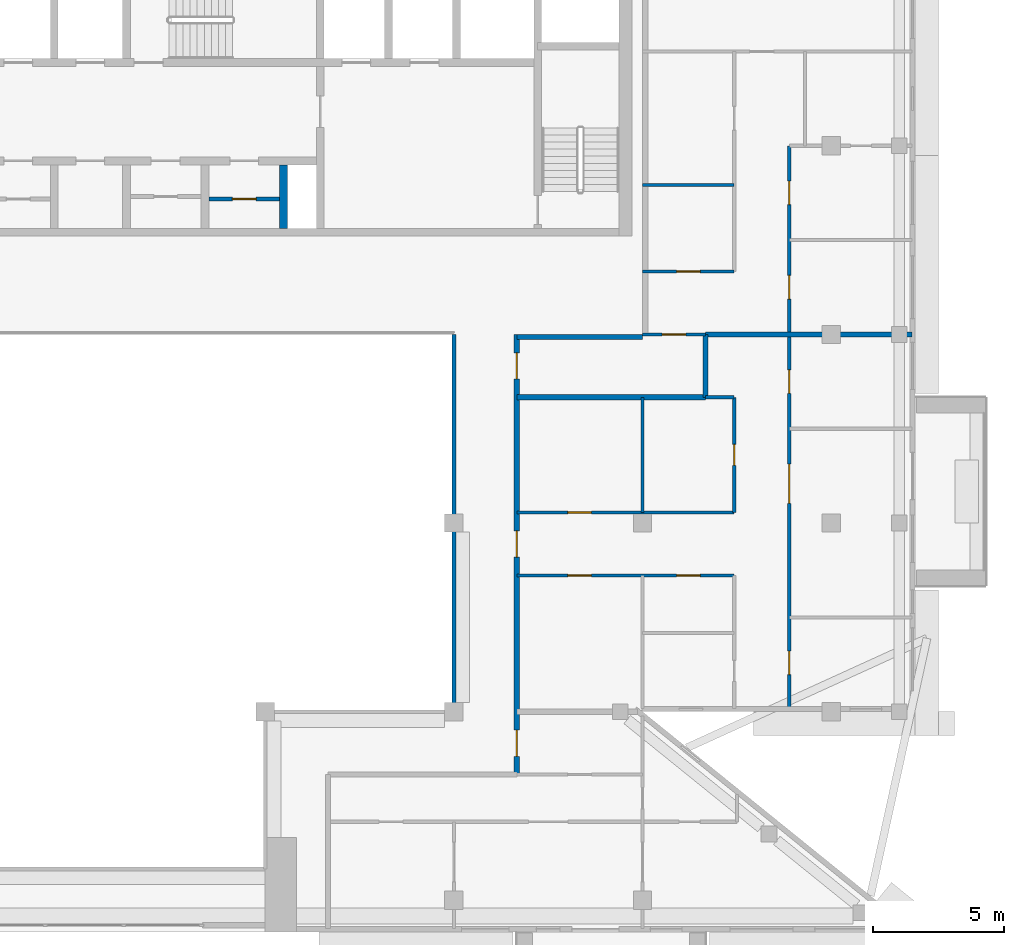
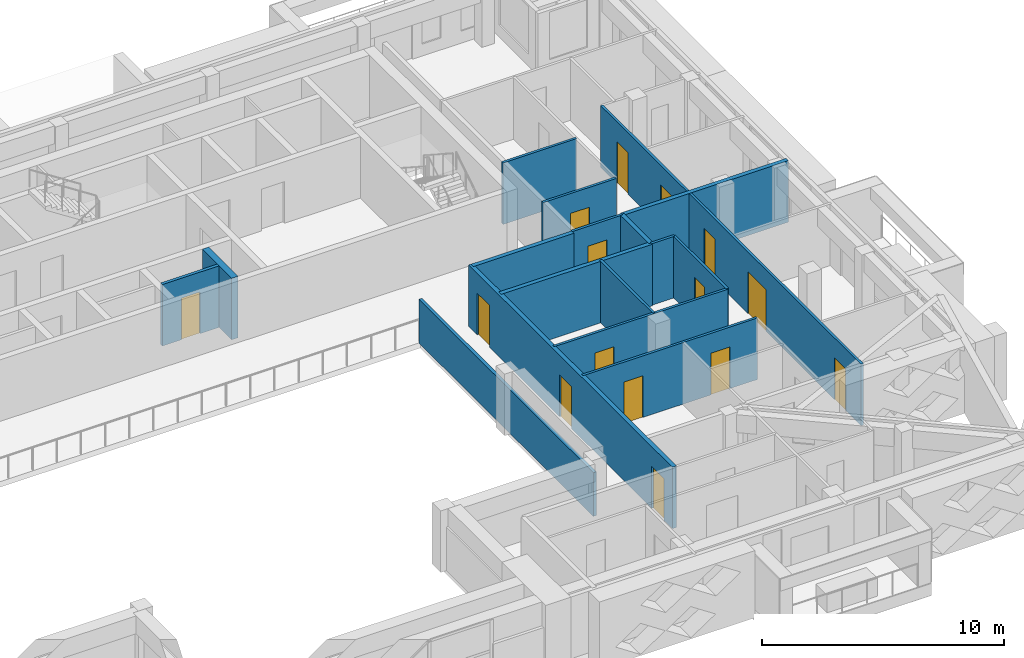
# One storey, part 9 of 19: 17 walls, 15 doors, 15 openings.
"""IFC4 building model written with IfcOpenShell, lengths in metres."""

from ifc_helpers import new_model, si_unit, direction, frame, frame_2d, origin, place, context, subcontext, project, spatial, rectangle, extrude, material, layer, layer_set, type_object, element, fill, save


model = new_model("IFC4")

# Units and contexts
model_context = context("Model", 3, precision=1e-05, world=origin(), true_north=direction((0.0, 1.0)))
body_context = subcontext(model_context, "Body", "Model", "MODEL_VIEW")
ifc_project = project(units=[si_unit("LENGTHUNIT", "METRE"), si_unit("AREAUNIT", "SQUARE_METRE"), si_unit("VOLUMEUNIT", "CUBIC_METRE"), si_unit("PLANEANGLEUNIT", "RADIAN"), si_unit("MASSUNIT", "GRAM", prefix="KILO")], contexts=[model_context])

# Site, building, storey
site_placement = place(None, origin())
site = spatial("IfcSite", under=ifc_project, at=site_placement, CompositionType="ELEMENT")
building_placement = place(site_placement, origin())
building = spatial("IfcBuilding", under=site, at=building_placement, Name="Saffron Iwan Residences", CompositionType="ELEMENT")
storey_placement = place(building_placement, frame((0.0, 0.0, 267.5)))
storey = spatial("IfcBuildingStorey", under=building, at=storey_placement, Name="L72", CompositionType="ELEMENT", Elevation=267.5)

# Wall
ifc_material_1 = material(Name="Fire-rated glazing", Category="glass")
ifc_layer_1 = layer(ifc_material_1, 0.14990234375)
ifc_layer_set_1 = layer_set([ifc_layer_1], Name="Fire-rated glazing")
wall_type_1 = type_object("IfcWallType", Name="Atrium glazed screen 150", PredefinedType="SOLIDWALL", material=ifc_layer_set_1)
wall_1_placement = place(storey_placement, frame((64.800048828125, 48.0, 0.0), z_axis=(0.0, 0.0, 1.0), x_axis=(0.0, 1.0, 0.0)))
element("IfcWall", 1, at=wall_1_placement, inside=storey, type_object=wall_type_1, Name="W-L72-SCREEN-v64.8-48", PredefinedType="SOLIDWALL", context=body_context, shape_type="SweptSolid", body=[
    extrude(rectangle(XDim=14.39990234375, YDim=0.14990234375, at=frame_2d((7.199951171875, 0.0))), origin(), (0.0, 0.0, 1.0), 2.198974609375),
])

# Wall, opening, door
ifc_material_2 = material(Name="Fire-rated plasterboard partition")
ifc_layer_2 = layer(ifc_material_2, 0.14990234375)
ifc_layer_set_2 = layer_set([ifc_layer_2], Name="Fire-rated plasterboard partition")
wall_type_2 = type_object("IfcWallType", Name="Core partition 150", PredefinedType="PARTITIONING", material=ifc_layer_set_2)
wall_2_placement = place(storey_placement, frame((55.449951171875, 67.5654296875, 0.0), z_axis=(0.0, 0.0, 1.0), x_axis=(1.0, 0.0, 0.0)))
wall_2 = element("IfcWall", 2, at=wall_2_placement, inside=storey, type_object=wall_type_2, Name="Core partition P06", PredefinedType="PARTITIONING", context=body_context, shape_type="SweptSolid", body=[
    extrude(rectangle(XDim=2.699951171875, YDim=0.14990234375, at=frame_2d((1.35009765625, 0.0))), origin(), (0.0, 0.0, 1.0), 3.09912109375),
])
opening_1_placement = place(wall_2_placement, frame((0.89990234375, 0.0, 0.0)))
opening_1 = element("IfcOpeningElement", 3, at=opening_1_placement, cuts=wall_2, Name="Opening SB", PredefinedType="OPENING", context=body_context, shape_type="SweptSolid", body=[
    extrude(rectangle(XDim=0.89990234375, YDim=2.10009765625, at=frame_2d((0.449951171875, 1.050048828125))), frame((0.0, 0.0849609375, 0.0), z_axis=(0.0, -1.0, 0.0), x_axis=(1.0, 0.0, 0.0)), (0.0, 0.0, 1.0), 0.169921875),
])
ifc_material_3 = material(Name="Steel fire door", Category="steel")
door_type_1 = type_object("IfcDoorType", Name="Store door 900", OperationType="NOTDEFINED", PredefinedType="DOOR", material=ifc_material_3)
door_1_placement = place(opening_1_placement, origin())
door_1 = element("IfcDoor", 4, at=door_1_placement, inside=storey, type_object=door_type_1, Name="Door Spares store", OperationType="SINGLE_SWING_RIGHT", OverallHeight=2.10009765625, OverallWidth=0.89990234375, PredefinedType="DOOR", context=body_context, shape_type="SweptSolid", body=[
    extrude(rectangle(XDim=0.89990234375, YDim=2.10009765625, at=frame_2d((0.449951171875, 1.050048828125))), frame((0.0, 0.02490234375, 0.0), z_axis=(0.0, -1.0, 0.0), x_axis=(1.0, 0.0, 0.0)), (0.0, 0.0, 1.0), 0.050048828125),
])
fill(opening_1, door_1)

# Walls
ifc_material_4 = material(Name="Fire-rated gypsum board wall")
ifc_layer_3 = layer(ifc_material_4, 0.199951171875)
ifc_layer_set_3 = layer_set([ifc_layer_3], Name="Fire-rated gypsum board wall")
wall_type_3 = type_object("IfcWallType", Name="Flat demising wall 200", PredefinedType="SOLIDWALL", material=ifc_layer_set_3)
wall_3_placement = place(storey_placement, frame((67.199951171875, 60.0, 0.0), z_axis=(0.0, 0.0, 1.0), x_axis=(1.0, 0.0, 0.0)))
element("IfcWall", 5, at=wall_3_placement, inside=storey, type_object=wall_type_3, Name="W-L72-DEMISE-h60-67.2", PredefinedType="SOLIDWALL", context=body_context, shape_type="SweptSolid", body=[
    extrude(rectangle(XDim=7.199951171875, YDim=0.199951171875, at=frame_2d((3.60009765625, 0.0))), origin(), (0.0, 0.0, 1.0), 3.09912109375),
])
wall_4_placement = place(storey_placement, frame((74.39990234375, 62.39990234375, 0.0), z_axis=(0.0, 0.0, 1.0), x_axis=(1.0, 0.0, 0.0)))
element("IfcWall", 6, at=wall_4_placement, inside=storey, type_object=wall_type_3, Name="W-L72-DEMISE-h62.4-74.4", PredefinedType="SOLIDWALL", context=body_context, shape_type="SweptSolid", body=[
    extrude(rectangle(XDim=7.875, YDim=0.199951171875, at=frame_2d((3.9375, 0.0))), origin(), (0.0, 0.0, 1.0), 3.09912109375),
])
wall_5_placement = place(storey_placement, frame((74.39990234375, 60.0, 0.0), z_axis=(0.0, 0.0, 1.0), x_axis=(0.0, 1.0, 0.0)))
element("IfcWall", 7, at=wall_5_placement, inside=storey, type_object=wall_type_3, Name="W-L72-DEMISE-v74.4-60", PredefinedType="SOLIDWALL", context=body_context, shape_type="SweptSolid", body=[
    extrude(rectangle(XDim=2.39990234375, YDim=0.199951171875, at=frame_2d((1.199951171875, 0.0))), origin(), (0.0, 0.0, 1.0), 3.09912109375),
])

# Wall, openings, doors
ifc_material_5 = material(Name="Gypsum board partition")
ifc_layer_4 = layer(ifc_material_5, 0.1201171875)
ifc_layer_set_4 = layer_set([ifc_layer_4], Name="Gypsum board partition")
wall_type_4 = type_object("IfcWallType", Name="Flat partition 120", PredefinedType="PARTITIONING", material=ifc_layer_set_4)
wall_6_placement = place(storey_placement, frame((67.199951171875, 53.199951171875, 0.0), z_axis=(0.0, 0.0, 1.0), x_axis=(1.0, 0.0, 0.0)))
wall_6 = element("IfcWall", 8, at=wall_6_placement, inside=storey, type_object=wall_type_4, Name="W-L72-PART-h53.2-67.2", PredefinedType="PARTITIONING", context=body_context, shape_type="SweptSolid", body=[
    extrude(rectangle(XDim=8.300048828125, YDim=0.1201171875, at=frame_2d((4.14990234375, 0.0))), origin(), (0.0, 0.0, 1.0), 3.09912109375),
])
opening_2_placement = place(wall_6_placement, frame((6.10009765625, 0.0, 0.0)))
opening_2 = element("IfcOpeningElement", 9, at=opening_2_placement, cuts=wall_6, Name="Opening FD2", PredefinedType="OPENING", context=body_context, shape_type="SweptSolid", body=[
    extrude(rectangle(XDim=0.89990234375, YDim=2.10009765625, at=frame_2d((0.449951171875, 1.050048828125))), frame((0.0, 0.070068359375, 0.0), z_axis=(0.0, -1.0, 0.0), x_axis=(1.0, 0.0, 0.0)), (0.0, 0.0, 1.0), 0.14013671875),
])
opening_3_placement = place(wall_6_placement, frame((1.949951171875, 0.0, 0.0)))
opening_3 = element("IfcOpeningElement", 10, at=opening_3_placement, cuts=wall_6, Name="Opening FD2", PredefinedType="OPENING", context=body_context, shape_type="SweptSolid", body=[
    extrude(rectangle(XDim=0.89990234375, YDim=2.10009765625, at=frame_2d((0.449951171875, 1.050048828125))), frame((0.0, 0.070068359375, 0.0), z_axis=(0.0, -1.0, 0.0), x_axis=(1.0, 0.0, 0.0)), (0.0, 0.0, 1.0), 0.14013671875),
])
ifc_material_6 = material(Name="Timber door", Category="wood")
door_type_2 = type_object("IfcDoorType", Name="Flat door 900", OperationType="NOTDEFINED", PredefinedType="DOOR", material=ifc_material_6)
door_2_placement = place(opening_2_placement, origin())
door_2 = element("IfcDoor", 11, at=door_2_placement, inside=storey, type_object=door_type_2, Name="Door L72-021", OperationType="SINGLE_SWING_LEFT", OverallHeight=2.10009765625, OverallWidth=0.89990234375, PredefinedType="DOOR", context=body_context, shape_type="SweptSolid", body=[
    extrude(rectangle(XDim=0.89990234375, YDim=2.10009765625, at=frame_2d((0.449951171875, 1.050048828125))), frame((0.0, 0.02490234375, 0.0), z_axis=(0.0, -1.0, 0.0), x_axis=(1.0, 0.0, 0.0)), (0.0, 0.0, 1.0), 0.050048828125),
])
fill(opening_2, door_2)
door_3_placement = place(opening_3_placement, origin())
door_3 = element("IfcDoor", 12, at=door_3_placement, inside=storey, type_object=door_type_2, Name="Door L72-023", OperationType="SINGLE_SWING_LEFT", OverallHeight=2.10009765625, OverallWidth=0.89990234375, PredefinedType="DOOR", context=body_context, shape_type="SweptSolid", body=[
    extrude(rectangle(XDim=0.89990234375, YDim=2.10009765625, at=frame_2d((0.449951171875, 1.050048828125))), frame((0.0, 0.02490234375, 0.0), z_axis=(0.0, -1.0, 0.0), x_axis=(1.0, 0.0, 0.0)), (0.0, 0.0, 1.0), 0.050048828125),
])
fill(opening_3, door_3)

# Wall, opening, door
wall_7_placement = place(storey_placement, frame((67.199951171875, 55.60009765625, 0.0), z_axis=(0.0, 0.0, 1.0), x_axis=(1.0, 0.0, 0.0)))
wall_7 = element("IfcWall", 13, at=wall_7_placement, inside=storey, type_object=wall_type_4, Name="W-L72-PART-h55.6-67.2", PredefinedType="PARTITIONING", context=body_context, shape_type="SweptSolid", body=[
    extrude(rectangle(XDim=8.300048828125, YDim=0.1201171875, at=frame_2d((4.14990234375, 0.0))), origin(), (0.0, 0.0, 1.0), 3.09912109375),
])
opening_4_placement = place(wall_7_placement, frame((1.949951171875, 0.0, 0.0)))
opening_4 = element("IfcOpeningElement", 14, at=opening_4_placement, cuts=wall_7, Name="Opening FD2", PredefinedType="OPENING", context=body_context, shape_type="SweptSolid", body=[
    extrude(rectangle(XDim=0.89990234375, YDim=2.10009765625, at=frame_2d((0.449951171875, 1.050048828125))), frame((0.0, 0.070068359375, 0.0), z_axis=(0.0, -1.0, 0.0), x_axis=(1.0, 0.0, 0.0)), (0.0, 0.0, 1.0), 0.14013671875),
])
door_4_placement = place(opening_4_placement, origin())
door_4 = element("IfcDoor", 15, at=door_4_placement, inside=storey, type_object=door_type_2, Name="Door L72-024", OperationType="SINGLE_SWING_LEFT", OverallHeight=2.10009765625, OverallWidth=0.89990234375, PredefinedType="DOOR", context=body_context, shape_type="SweptSolid", body=[
    extrude(rectangle(XDim=0.89990234375, YDim=2.10009765625, at=frame_2d((0.449951171875, 1.050048828125))), frame((0.0, 0.02490234375, 0.0), z_axis=(0.0, -1.0, 0.0), x_axis=(1.0, 0.0, 0.0)), (0.0, 0.0, 1.0), 0.050048828125),
])
fill(opening_4, door_4)

# Wall
wall_8_placement = place(storey_placement, frame((74.39990234375, 60.0, 0.0), z_axis=(0.0, 0.0, 1.0), x_axis=(1.0, 0.0, 0.0)))
element("IfcWall", 16, at=wall_8_placement, inside=storey, type_object=wall_type_4, Name="W-L72-PART-h60-74.4", PredefinedType="PARTITIONING", context=body_context, shape_type="SweptSolid", body=[
    extrude(rectangle(XDim=1.10009765625, YDim=0.1201171875, at=frame_2d((0.550048828125, 0.0))), origin(), (0.0, 0.0, 1.0), 3.09912109375),
])

# Wall, opening, door
wall_9_placement = place(storey_placement, frame((72.0, 62.39990234375, 0.0), z_axis=(0.0, 0.0, 1.0), x_axis=(1.0, 0.0, 0.0)))
wall_9 = element("IfcWall", 17, at=wall_9_placement, inside=storey, type_object=wall_type_4, Name="W-L72-PART-h62.4-72", PredefinedType="PARTITIONING", context=body_context, shape_type="SweptSolid", body=[
    extrude(rectangle(XDim=2.39990234375, YDim=0.1201171875, at=frame_2d((1.199951171875, 0.0))), origin(), (0.0, 0.0, 1.0), 3.09912109375),
])
opening_5_placement = place(wall_9_placement, frame((0.75, 0.0, 0.0)))
opening_5 = element("IfcOpeningElement", 18, at=opening_5_placement, cuts=wall_9, Name="Opening FD2", PredefinedType="OPENING", context=body_context, shape_type="SweptSolid", body=[
    extrude(rectangle(XDim=0.89990234375, YDim=2.10009765625, at=frame_2d((0.449951171875, 1.050048828125))), frame((0.0, 0.070068359375, 0.0), z_axis=(0.0, -1.0, 0.0), x_axis=(1.0, 0.0, 0.0)), (0.0, 0.0, 1.0), 0.14013671875),
])
door_5_placement = place(opening_5_placement, origin())
door_5 = element("IfcDoor", 19, at=door_5_placement, inside=storey, type_object=door_type_2, Name="Door L72-033", OperationType="SINGLE_SWING_LEFT", OverallHeight=2.10009765625, OverallWidth=0.89990234375, PredefinedType="DOOR", context=body_context, shape_type="SweptSolid", body=[
    extrude(rectangle(XDim=0.89990234375, YDim=2.10009765625, at=frame_2d((0.449951171875, 1.050048828125))), frame((0.0, 0.02490234375, 0.0), z_axis=(0.0, -1.0, 0.0), x_axis=(1.0, 0.0, 0.0)), (0.0, 0.0, 1.0), 0.050048828125),
])
fill(opening_5, door_5)

wall_10_placement = place(storey_placement, frame((72.0, 64.800048828125, 0.0), z_axis=(0.0, 0.0, 1.0), x_axis=(1.0, 0.0, 0.0)))
wall_10 = element("IfcWall", 20, at=wall_10_placement, inside=storey, type_object=wall_type_4, Name="W-L72-PART-h64.8-72", PredefinedType="PARTITIONING", context=body_context, shape_type="SweptSolid", body=[
    extrude(rectangle(XDim=3.5, YDim=0.1201171875, at=frame_2d((1.75, 0.0))), origin(), (0.0, 0.0, 1.0), 3.09912109375),
])
opening_6_placement = place(wall_10_placement, frame((1.300048828125, 0.0, 0.0)))
opening_6 = element("IfcOpeningElement", 21, at=opening_6_placement, cuts=wall_10, Name="Opening FD2", PredefinedType="OPENING", context=body_context, shape_type="SweptSolid", body=[
    extrude(rectangle(XDim=0.89990234375, YDim=2.10009765625, at=frame_2d((0.449951171875, 1.050048828125))), frame((0.0, 0.070068359375, 0.0), z_axis=(0.0, -1.0, 0.0), x_axis=(1.0, 0.0, 0.0)), (0.0, 0.0, 1.0), 0.14013671875),
])
door_6_placement = place(opening_6_placement, origin())
door_6 = element("IfcDoor", 22, at=door_6_placement, inside=storey, type_object=door_type_2, Name="Door L72-039", OperationType="SINGLE_SWING_LEFT", OverallHeight=2.10009765625, OverallWidth=0.89990234375, PredefinedType="DOOR", context=body_context, shape_type="SweptSolid", body=[
    extrude(rectangle(XDim=0.89990234375, YDim=2.10009765625, at=frame_2d((0.449951171875, 1.050048828125))), frame((0.0, 0.02490234375, 0.0), z_axis=(0.0, -1.0, 0.0), x_axis=(1.0, 0.0, 0.0)), (0.0, 0.0, 1.0), 0.050048828125),
])
fill(opening_6, door_6)

# Walls
wall_11_placement = place(storey_placement, frame((72.0, 68.10009765625, 0.0), z_axis=(0.0, 0.0, 1.0), x_axis=(1.0, 0.0, 0.0)))
element("IfcWall", 23, at=wall_11_placement, inside=storey, type_object=wall_type_4, Name="W-L72-PART-h68.1-72", PredefinedType="PARTITIONING", context=body_context, shape_type="SweptSolid", body=[
    extrude(rectangle(XDim=3.5, YDim=0.1201171875, at=frame_2d((1.75, 0.0))), origin(), (0.0, 0.0, 1.0), 3.09912109375),
])
wall_12_placement = place(storey_placement, frame((72.0, 55.60009765625, 0.0), z_axis=(0.0, 0.0, 1.0), x_axis=(0.0, 1.0, 0.0)))
element("IfcWall", 24, at=wall_12_placement, inside=storey, type_object=wall_type_4, Name="W-L72-PART-v72-55.6", PredefinedType="PARTITIONING", context=body_context, shape_type="SweptSolid", body=[
    extrude(rectangle(XDim=4.39990234375, YDim=0.1201171875, at=frame_2d((2.199951171875, 0.0))), origin(), (0.0, 0.0, 1.0), 3.09912109375),
])

# Wall, opening, door
wall_13_placement = place(storey_placement, frame((75.5, 55.60009765625, 0.0), z_axis=(0.0, 0.0, 1.0), x_axis=(0.0, 1.0, 0.0)))
wall_13 = element("IfcWall", 25, at=wall_13_placement, inside=storey, type_object=wall_type_4, Name="W-L72-PART-v75.5-55.6", PredefinedType="PARTITIONING", context=body_context, shape_type="SweptSolid", body=[
    extrude(rectangle(XDim=4.39990234375, YDim=0.1201171875, at=frame_2d((2.199951171875, 0.0))), origin(), (0.0, 0.0, 1.0), 3.09912109375),
])
opening_7_placement = place(wall_13_placement, frame((1.800048828125, 0.0, 0.0)))
opening_7 = element("IfcOpeningElement", 26, at=opening_7_placement, cuts=wall_13, Name="Opening FD3", PredefinedType="OPENING", context=body_context, shape_type="SweptSolid", body=[
    extrude(rectangle(XDim=0.800048828125, YDim=2.10009765625, at=frame_2d((0.39990234375, 1.050048828125))), frame((0.0, 0.070068359375, 0.0), z_axis=(0.0, -1.0, 0.0), x_axis=(1.0, 0.0, 0.0)), (0.0, 0.0, 1.0), 0.14013671875),
])
door_type_3 = type_object("IfcDoorType", Name="Bathroom door 800", OperationType="NOTDEFINED", PredefinedType="DOOR", material=ifc_material_6)
door_7_placement = place(opening_7_placement, origin())
door_7 = element("IfcDoor", 27, at=door_7_placement, inside=storey, type_object=door_type_3, Name="Door L72-022", OperationType="SINGLE_SWING_RIGHT", OverallHeight=2.10009765625, OverallWidth=0.800048828125, PredefinedType="DOOR", context=body_context, shape_type="SweptSolid", body=[
    extrude(rectangle(XDim=0.800048828125, YDim=2.10009765625, at=frame_2d((0.39990234375, 1.050048828125))), frame((0.0, 0.02490234375, 0.0), z_axis=(0.0, -1.0, 0.0), x_axis=(1.0, 0.0, 0.0)), (0.0, 0.0, 1.0), 0.050048828125),
])
fill(opening_7, door_7)

# Wall, openings, doors
wall_14_placement = place(storey_placement, frame((77.60009765625, 48.125, 0.0), z_axis=(0.0, 0.0, 1.0), x_axis=(0.0, 1.0, 0.0)))
wall_14 = element("IfcWall", 28, at=wall_14_placement, inside=storey, type_object=wall_type_4, Name="W-L72-PART-v77.6-48.125", PredefinedType="PARTITIONING", context=body_context, shape_type="SweptSolid", body=[
    extrude(rectangle(XDim=21.47509765625, YDim=0.1201171875, at=frame_2d((10.737548828125, 0.0))), origin(), (0.0, 0.0, 1.0), 3.09912109375),
])
opening_8_placement = place(wall_14_placement, frame((1.28759765625, 0.0, 0.0)))
opening_8 = element("IfcOpeningElement", 29, at=opening_8_placement, cuts=wall_14, Name="Opening FD2", PredefinedType="OPENING", context=body_context, shape_type="SweptSolid", body=[
    extrude(rectangle(XDim=0.89990234375, YDim=2.10009765625, at=frame_2d((0.449951171875, 1.050048828125))), frame((0.0, 0.070068359375, 0.0), z_axis=(0.0, -1.0, 0.0), x_axis=(1.0, 0.0, 0.0)), (0.0, 0.0, 1.0), 0.14013671875),
])
opening_9_placement = place(wall_14_placement, frame((7.824951171875, 0.0, 0.0)))
opening_9 = element("IfcOpeningElement", 30, at=opening_9_placement, cuts=wall_14, Name="Opening FD4", PredefinedType="OPENING", context=body_context, shape_type="SweptSolid", body=[
    extrude(rectangle(XDim=1.5, YDim=2.10009765625, at=frame_2d((0.75, 1.050048828125))), frame((0.0, 0.070068359375, 0.0), z_axis=(0.0, -1.0, 0.0), x_axis=(1.0, 0.0, 0.0)), (0.0, 0.0, 1.0), 0.14013671875),
])
opening_10_placement = place(wall_14_placement, frame((12.02490234375, 0.0, 0.0)))
opening_10 = element("IfcOpeningElement", 31, at=opening_10_placement, cuts=wall_14, Name="Opening FD2", PredefinedType="OPENING", context=body_context, shape_type="SweptSolid", body=[
    extrude(rectangle(XDim=0.89990234375, YDim=2.10009765625, at=frame_2d((0.449951171875, 1.050048828125))), frame((0.0, 0.070068359375, 0.0), z_axis=(0.0, -1.0, 0.0), x_axis=(1.0, 0.0, 0.0)), (0.0, 0.0, 1.0), 0.14013671875),
])
opening_11_placement = place(wall_14_placement, frame((15.625, 0.0, 0.0)))
opening_11 = element("IfcOpeningElement", 32, at=opening_11_placement, cuts=wall_14, Name="Opening FD2", PredefinedType="OPENING", context=body_context, shape_type="SweptSolid", body=[
    extrude(rectangle(XDim=0.89990234375, YDim=2.10009765625, at=frame_2d((0.449951171875, 1.050048828125))), frame((0.0, 0.070068359375, 0.0), z_axis=(0.0, -1.0, 0.0), x_axis=(1.0, 0.0, 0.0)), (0.0, 0.0, 1.0), 0.14013671875),
])
opening_12_placement = place(wall_14_placement, frame((19.22509765625, 0.0, 0.0)))
opening_12 = element("IfcOpeningElement", 33, at=opening_12_placement, cuts=wall_14, Name="Opening FD2", PredefinedType="OPENING", context=body_context, shape_type="SweptSolid", body=[
    extrude(rectangle(XDim=0.89990234375, YDim=2.10009765625, at=frame_2d((0.449951171875, 1.050048828125))), frame((0.0, 0.070068359375, 0.0), z_axis=(0.0, -1.0, 0.0), x_axis=(1.0, 0.0, 0.0)), (0.0, 0.0, 1.0), 0.14013671875),
])
door_type_4 = type_object("IfcDoorType", Name="Double door 1500", OperationType="NOTDEFINED", PredefinedType="DOOR", material=ifc_material_6)
door_8_placement = place(opening_9_placement, origin())
door_8 = element("IfcDoor", 34, at=door_8_placement, inside=storey, type_object=door_type_4, Name="Door L72-018", OperationType="SINGLE_SWING_RIGHT", OverallHeight=2.10009765625, OverallWidth=1.5, PredefinedType="DOOR", context=body_context, shape_type="SweptSolid", body=[
    extrude(rectangle(XDim=1.5, YDim=2.10009765625, at=frame_2d((0.75, 1.050048828125))), frame((0.0, 0.02490234375, 0.0), z_axis=(0.0, -1.0, 0.0), x_axis=(1.0, 0.0, 0.0)), (0.0, 0.0, 1.0), 0.050048828125),
])
fill(opening_9, door_8)
door_9_placement = place(opening_8_placement, origin())
door_9 = element("IfcDoor", 35, at=door_9_placement, inside=storey, type_object=door_type_2, Name="Door L72-017", OperationType="SINGLE_SWING_LEFT", OverallHeight=2.10009765625, OverallWidth=0.89990234375, PredefinedType="DOOR", context=body_context, shape_type="SweptSolid", body=[
    extrude(rectangle(XDim=0.89990234375, YDim=2.10009765625, at=frame_2d((0.449951171875, 1.050048828125))), frame((0.0, 0.02490234375, 0.0), z_axis=(0.0, -1.0, 0.0), x_axis=(1.0, 0.0, 0.0)), (0.0, 0.0, 1.0), 0.050048828125),
])
fill(opening_8, door_9)
door_10_placement = place(opening_10_placement, origin())
door_10 = element("IfcDoor", 36, at=door_10_placement, inside=storey, type_object=door_type_2, Name="Door L72-019", OperationType="SINGLE_SWING_RIGHT", OverallHeight=2.10009765625, OverallWidth=0.89990234375, PredefinedType="DOOR", context=body_context, shape_type="SweptSolid", body=[
    extrude(rectangle(XDim=0.89990234375, YDim=2.10009765625, at=frame_2d((0.449951171875, 1.050048828125))), frame((0.0, 0.02490234375, 0.0), z_axis=(0.0, -1.0, 0.0), x_axis=(1.0, 0.0, 0.0)), (0.0, 0.0, 1.0), 0.050048828125),
])
fill(opening_10, door_10)
door_11_placement = place(opening_11_placement, origin())
door_11 = element("IfcDoor", 37, at=door_11_placement, inside=storey, type_object=door_type_2, Name="Door L72-035", OperationType="SINGLE_SWING_LEFT", OverallHeight=2.10009765625, OverallWidth=0.89990234375, PredefinedType="DOOR", context=body_context, shape_type="SweptSolid", body=[
    extrude(rectangle(XDim=0.89990234375, YDim=2.10009765625, at=frame_2d((0.449951171875, 1.050048828125))), frame((0.0, 0.02490234375, 0.0), z_axis=(0.0, -1.0, 0.0), x_axis=(1.0, 0.0, 0.0)), (0.0, 0.0, 1.0), 0.050048828125),
])
fill(opening_11, door_11)
door_12_placement = place(opening_12_placement, origin())
door_12 = element("IfcDoor", 38, at=door_12_placement, inside=storey, type_object=door_type_2, Name="Door L72-036", OperationType="SINGLE_SWING_LEFT", OverallHeight=2.10009765625, OverallWidth=0.89990234375, PredefinedType="DOOR", context=body_context, shape_type="SweptSolid", body=[
    extrude(rectangle(XDim=0.89990234375, YDim=2.10009765625, at=frame_2d((0.449951171875, 1.050048828125))), frame((0.0, 0.02490234375, 0.0), z_axis=(0.0, -1.0, 0.0), x_axis=(1.0, 0.0, 0.0)), (0.0, 0.0, 1.0), 0.050048828125),
])
fill(opening_12, door_12)

# Wall
ifc_layer_5 = layer(ifc_material_4, 0.199951171875)
ifc_layer_set_5 = layer_set([ifc_layer_5], Name="Fire-rated gypsum board wall")
wall_type_5 = type_object("IfcWallType", Name="Gallery wall 200", PredefinedType="SOLIDWALL", material=ifc_layer_set_5)
wall_15_placement = place(storey_placement, frame((67.199951171875, 62.300048828125, 0.0), z_axis=(0.0, 0.0, 1.0), x_axis=(1.0, 0.0, 0.0)))
element("IfcWall", 39, at=wall_15_placement, inside=storey, type_object=wall_type_5, Name="W-L72-CORR-h62.4-67.2", PredefinedType="SOLIDWALL", context=body_context, shape_type="SweptSolid", body=[
    extrude(rectangle(XDim=4.800048828125, YDim=0.199951171875, at=frame_2d((2.39990234375, 0.0))), origin(), (0.0, 0.0, 1.0), 3.09912109375),
])

# Wall, openings, doors
wall_16_placement = place(storey_placement, frame((67.199951171875, 45.60009765625, 0.0), z_axis=(0.0, 0.0, 1.0), x_axis=(0.0, 1.0, 0.0)))
wall_16 = element("IfcWall", 40, at=wall_16_placement, inside=storey, type_object=wall_type_5, Name="W-L72-CORR-v67.2-45.6", PredefinedType="SOLIDWALL", context=body_context, shape_type="SweptSolid", body=[
    extrude(rectangle(XDim=16.7998046875, YDim=0.199951171875, at=frame_2d((8.39990234375, 0.0))), origin(), (0.0, 0.0, 1.0), 3.09912109375),
])
opening_13_placement = place(wall_16_placement, frame((8.300048828125, 0.0, 0.0)))
opening_13 = element("IfcOpeningElement", 41, at=opening_13_placement, cuts=wall_16, Name="Opening FD1", PredefinedType="OPENING", context=body_context, shape_type="SweptSolid", body=[
    extrude(rectangle(XDim=1.0, YDim=2.10009765625, at=frame_2d((0.5, 1.050048828125))), frame((0.0, 0.10986328125, 0.0), z_axis=(0.0, -1.0, 0.0), x_axis=(1.0, 0.0, 0.0)), (0.0, 0.0, 1.0), 0.219970703125),
])
opening_14_placement = place(wall_16_placement, frame((15.10009765625, 0.0, 0.0)))
opening_14 = element("IfcOpeningElement", 42, at=opening_14_placement, cuts=wall_16, Name="Opening FD5", PredefinedType="OPENING", context=body_context, shape_type="SweptSolid", body=[
    extrude(rectangle(XDim=1.0, YDim=2.10009765625, at=frame_2d((0.5, 1.050048828125))), frame((0.0, 0.10986328125, 0.0), z_axis=(0.0, -1.0, 0.0), x_axis=(1.0, 0.0, 0.0)), (0.0, 0.0, 1.0), 0.219970703125),
])
opening_15_placement = place(wall_16_placement, frame((0.699951171875, 0.0, 0.0)))
opening_15 = element("IfcOpeningElement", 43, at=opening_15_placement, cuts=wall_16, Name="Opening FD5", PredefinedType="OPENING", context=body_context, shape_type="SweptSolid", body=[
    extrude(rectangle(XDim=1.0, YDim=2.10009765625, at=frame_2d((0.5, 1.050048828125))), frame((0.0, 0.10986328125, 0.0), z_axis=(0.0, -1.0, 0.0), x_axis=(1.0, 0.0, 0.0)), (0.0, 0.0, 1.0), 0.219970703125),
])
ifc_material_7 = material(Name="Fire-rated timber door", Category="wood")
door_type_5 = type_object("IfcDoorType", Name="FD30S flat entrance door 1000", OperationType="NOTDEFINED", PredefinedType="DOOR", material=ifc_material_7)
door_13_placement = place(opening_13_placement, origin())
door_13 = element("IfcDoor", 44, at=door_13_placement, inside=storey, type_object=door_type_5, Name="Door L72-016", OperationType="SINGLE_SWING_RIGHT", OverallHeight=2.10009765625, OverallWidth=1.0, PredefinedType="DOOR", context=body_context, shape_type="SweptSolid", body=[
    extrude(rectangle(XDim=1.0, YDim=2.10009765625, at=frame_2d((0.5, 1.050048828125))), frame((0.0, 0.02490234375, 0.0), z_axis=(0.0, -1.0, 0.0), x_axis=(1.0, 0.0, 0.0)), (0.0, 0.0, 1.0), 0.050048828125),
])
fill(opening_13, door_13)
door_type_6 = type_object("IfcDoorType", Name="Lobby door 1000", OperationType="NOTDEFINED", PredefinedType="DOOR", material=ifc_material_7)
door_14_placement = place(opening_14_placement, origin())
door_14 = element("IfcDoor", 45, at=door_14_placement, inside=storey, type_object=door_type_6, Name="Door L72-034", OperationType="SINGLE_SWING_RIGHT", OverallHeight=2.10009765625, OverallWidth=1.0, PredefinedType="DOOR", context=body_context, shape_type="SweptSolid", body=[
    extrude(rectangle(XDim=1.0, YDim=2.10009765625, at=frame_2d((0.5, 1.050048828125))), frame((0.0, 0.02490234375, 0.0), z_axis=(0.0, -1.0, 0.0), x_axis=(1.0, 0.0, 0.0)), (0.0, 0.0, 1.0), 0.050048828125),
])
fill(opening_14, door_14)
door_15_placement = place(opening_15_placement, origin())
door_15 = element("IfcDoor", 46, at=door_15_placement, inside=storey, type_object=door_type_6, Name="Door L72-043", OperationType="SINGLE_SWING_RIGHT", OverallHeight=2.10009765625, OverallWidth=1.0, PredefinedType="DOOR", context=body_context, shape_type="SweptSolid", body=[
    extrude(rectangle(XDim=1.0, YDim=2.10009765625, at=frame_2d((0.5, 1.050048828125))), frame((0.0, 0.02490234375, 0.0), z_axis=(0.0, -1.0, 0.0), x_axis=(1.0, 0.0, 0.0)), (0.0, 0.0, 1.0), 0.050048828125),
])
fill(opening_15, door_15)

# Wall
ifc_material_8 = material(Name="Concrete C40/50", Category="concrete")
ifc_layer_6 = layer(ifc_material_8, 0.300048828125)
ifc_layer_set_6 = layer_set([ifc_layer_6], Name="Concrete C40/50")
wall_type_6 = type_object("IfcWallType", Name="WALL CORE 300 C40/50 3099 HIGH", PredefinedType="SHEAR", material=ifc_layer_set_6)
wall_17_placement = place(storey_placement, frame((58.300048828125, 66.449951171875, 0.0), z_axis=(0.0, 0.0, 1.0), x_axis=(0.0, 1.0, 0.0)))
element("IfcWall", 47, at=wall_17_placement, inside=storey, type_object=wall_type_6, Name="Core wall", PredefinedType="SHEAR", context=body_context, shape_type="SweptSolid", body=[
    extrude(rectangle(XDim=2.425048828125, YDim=0.300048828125, at=frame_2d((1.21240234375, 0.0))), origin(), (0.0, 0.0, 1.0), 3.09912109375),
])

save(model, "model.ifc")
